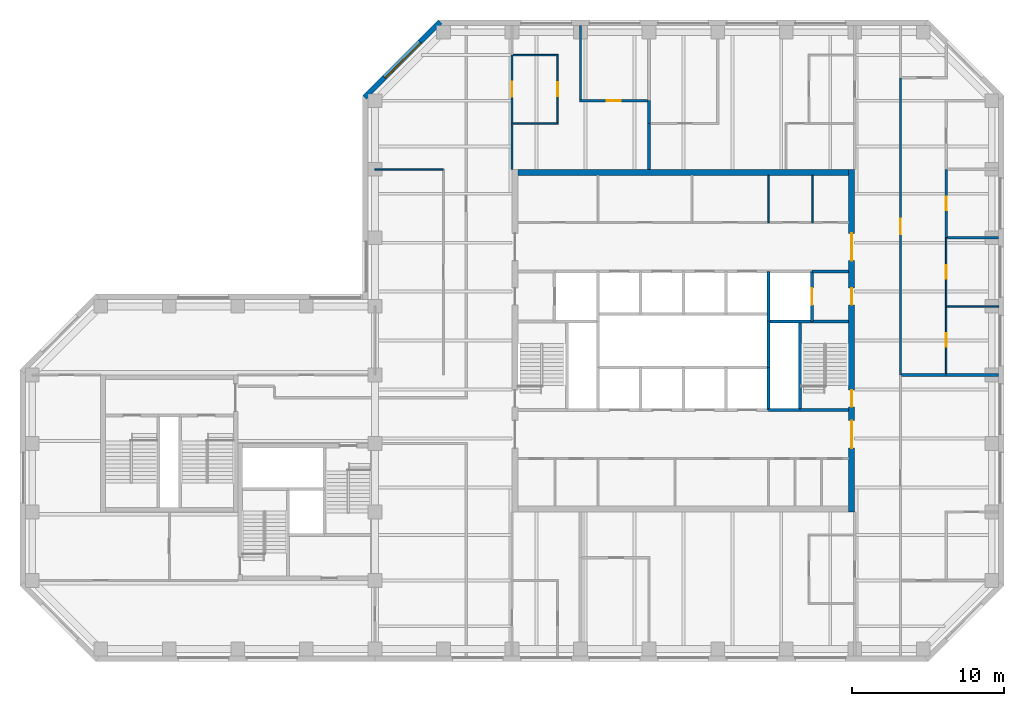
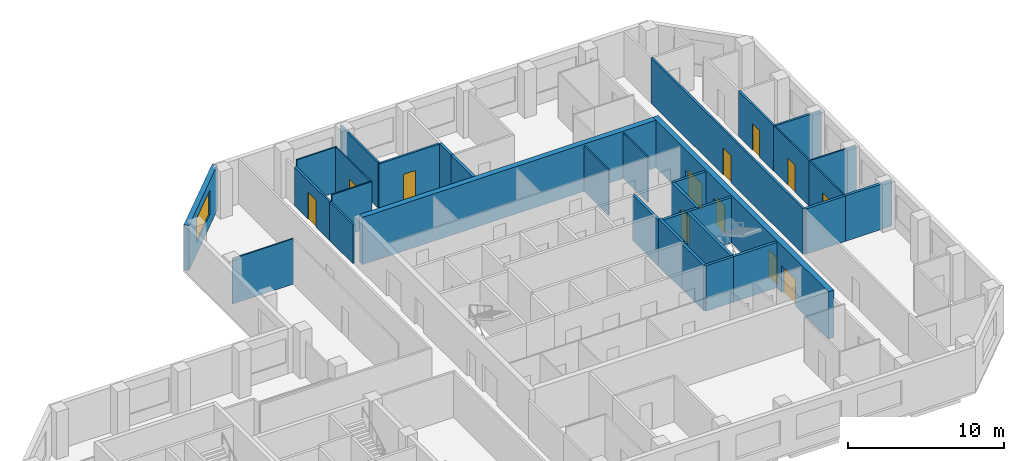
# One storey, part 6 of 9: 32 walls, 12 doors, 1 window, 13 openings.
"""IFC4 building model written with IfcOpenShell, lengths in metres."""

import ifcopenshell
import ifcopenshell.guid

model = None  # the IFC model being written
_history = None  # IfcOwnerHistory: only IFC2X3 demands one
_inside = {}  # id of a spatial element -> (the spatial element, [elements in it])
_under = {}  # id of a project, library or spatial element -> (it, [spatial elements below it])
_declared = {}  # id of a project -> (the project, [libraries it declares])
_typed = {}  # id of a type object -> (the type object, [elements of that type])
_made_of = {}  # id of a material, layer set ... -> (it, [elements and type objects made of it])


def new_model(schema):
    """Start an empty IFC model of exactly this schema.

    Asked for "IFC4X3", IfcOpenShell would pick the latest addendum, in which some entities
    have other attributes; the version numbers below select the first issue.
    IFC2X3 requires an IfcOwnerHistory on every rooted entity: one is made here for all.
    """
    global model, _history
    if schema == "IFC4X3":
        model = ifcopenshell.file(schema_version=(4, 3, 0, 0))
    else:
        model = ifcopenshell.file(schema=schema)
    _inside.clear()
    _under.clear()
    _declared.clear()
    _typed.clear()
    _made_of.clear()
    _history = None
    if model.schema == "IFC2X3":
        org = make("IfcOrganization", Name="unknown")
        user = make(
            "IfcPersonAndOrganization",
            ThePerson=make("IfcPerson", FamilyName="unknown"),
            TheOrganization=org,
        )
        app = make(
            "IfcApplication",
            ApplicationDeveloper=org,
            Version="unknown",
            ApplicationFullName="unknown",
            ApplicationIdentifier="unknown",
        )
        _history = make(
            "IfcOwnerHistory",
            OwningUser=user,
            OwningApplication=app,
            ChangeAction="ADDED",
            CreationDate=0,
        )
    return model


def make(cls, **values):
    """One entity of the class cls with the attributes given. An attribute that is None is left unset."""
    return model.create_entity(
        cls, **{name: value for name, value in values.items() if value is not None}
    )


def rooted(cls, **values):
    """An entity with a GlobalId (a new one), such as an element, a storey or a relation."""
    return make(cls, GlobalId=ifcopenshell.guid.new(), OwnerHistory=_history, **values)


def si_unit(unit_type, name, prefix=None):
    """IfcSIUnit, for example si_unit("LENGTHUNIT", "METRE", prefix="MILLI")."""
    return make("IfcSIUnit", UnitType=unit_type, Prefix=prefix, Name=name)


def assignment(units):
    """IfcUnitAssignment: the units of a project."""
    return None if units is None else make("IfcUnitAssignment", Units=units)


def point(xyz):
    """IfcCartesianPoint."""
    return None if xyz is None else make("IfcCartesianPoint", Coordinates=xyz)


def direction(xyz):
    """IfcDirection."""
    return None if xyz is None else make("IfcDirection", DirectionRatios=xyz)


def frame(location, z_axis=None, x_axis=None):
    """IfcAxis2Placement3D, a coordinate frame: its origin and axes. An axis left out is left unset."""
    return make(
        "IfcAxis2Placement3D",
        Location=point(location),
        Axis=direction(z_axis),
        RefDirection=direction(x_axis),
    )


def frame_2d(location, x_axis=None):
    """IfcAxis2Placement2D, a coordinate frame in the plane: its origin and x axis."""
    return make(
        "IfcAxis2Placement2D", Location=point(location), RefDirection=direction(x_axis)
    )


def origin():
    """The frame at (0, 0, 0) with its axes left unset."""
    return frame((0.0, 0.0, 0.0))


def place(relative_to, where):
    """IfcLocalPlacement: puts the frame where relative to a parent placement (None: the world)."""
    return make(
        "IfcLocalPlacement", PlacementRelTo=relative_to, RelativePlacement=where
    )


def context(
    kind, dimensions, precision=None, world=None, true_north=None, identifier=None
):
    """IfcGeometricRepresentationContext, for example the 3D "Model" context."""
    return make(
        "IfcGeometricRepresentationContext",
        ContextIdentifier=identifier,
        ContextType=kind,
        CoordinateSpaceDimension=dimensions,
        Precision=precision,
        WorldCoordinateSystem=world,
        TrueNorth=true_north,
    )


def subcontext(parent, identifier, kind, view, scale=None):
    """IfcGeometricRepresentationSubContext, for example "Body" below "Model"."""
    return make(
        "IfcGeometricRepresentationSubContext",
        ContextIdentifier=identifier,
        ContextType=kind,
        ParentContext=parent,
        TargetScale=scale,
        TargetView=view,
    )


def project(units=None, contexts=None):
    """IfcProject with its units and contexts."""
    return rooted(
        "IfcProject",
        Name="project",
        RepresentationContexts=contexts,
        UnitsInContext=assignment(units),
    )


def spatial(cls, under=None, at=None, **own):
    """A site, building, storey or space (cls), placed at a placement, below another one or the project."""
    s = rooted(cls, ObjectPlacement=at, **own)
    if under is not None:
        _under.setdefault(under.id(), (under, []))[1].append(s)
    return s


def profile(cls, at=None, kind="AREA", **sizes):
    """A parametric profile (cls). Its sizes go by their IFC names, for example OverallWidth=200.0."""
    return make(cls, ProfileType=kind, Position=at, **sizes)


def rectangle(**sizes):
    """IfcRectangleProfileDef."""
    return profile("IfcRectangleProfileDef", **sizes)


def extrude(swept, where, along, depth):
    """IfcExtrudedAreaSolid: the profile swept, set in the frame where, extruded along a direction by depth."""
    return make(
        "IfcExtrudedAreaSolid",
        SweptArea=swept,
        Position=where,
        ExtrudedDirection=direction(along),
        Depth=depth,
    )


def shape(context_of_items, identifier, shape_type, items):
    """IfcShapeRepresentation: the items that make up one representation, for example the "Body"."""
    return make(
        "IfcShapeRepresentation",
        ContextOfItems=context_of_items,
        RepresentationIdentifier=identifier,
        RepresentationType=shape_type,
        Items=items,
    )


def material(Name=None, Category=None):
    """IfcMaterial."""
    return make("IfcMaterial", Name=Name, Category=Category)


def layer(
    of_material, thickness, ventilated=None, Name=None, Category=None, Priority=None
):
    """IfcMaterialLayer: one layer of a wall or slab, of a material (None: an air gap)."""
    return make(
        "IfcMaterialLayer",
        Material=of_material,
        LayerThickness=thickness,
        IsVentilated=ventilated,
        Name=Name,
        Category=Category,
        Priority=Priority,
    )


def layer_set(layers, Name=None):
    """IfcMaterialLayerSet."""
    return make("IfcMaterialLayerSet", MaterialLayers=layers, LayerSetName=Name)


def constituent(of_material, Name=None, Category=None, fraction=None):
    """IfcMaterialConstituent: one of the materials an element consists of."""
    return make(
        "IfcMaterialConstituent",
        Name=Name,
        Material=of_material,
        Fraction=fraction,
        Category=Category,
    )


def constituent_set(constituents=None, Name=None):
    """IfcMaterialConstituentSet."""
    return make(
        "IfcMaterialConstituentSet", Name=Name, MaterialConstituents=constituents
    )


def made_of(thing, what):
    """Note that an element or type object is made of a material, layer set ...; save() writes the relation."""
    if what is not None:
        _made_of.setdefault(what.id(), (what, []))[1].append(thing)
    return thing


def type_object(cls, material=None, **own):
    """A type object (cls), such as IfcWallType, which elements share."""
    return made_of(rooted(cls, **own), material)


def element(
    cls,
    number,
    at=None,
    inside=None,
    cuts=None,
    type_object=None,
    material=None,
    context=None,
    identifier="Body",
    shape_type=None,
    held_by="IfcProductDefinitionShape",
    body=None,
    shapes=None,
    **own,
):
    """One element of the class cls, such as IfcWall. Its Tag is "e" and its number.

    at: its placement. inside: the storey or other place that contains it. cuts: it is an
    opening in that element (IfcRelVoidsElement). A single representation is given by context,
    identifier, shape_type and body (its items); several are given by shapes. held_by: the class
    of the entity that holds the representations. save() writes the other relations.
    """
    e = rooted(cls, Tag="e%d" % number, ObjectPlacement=at, **own)
    if body is not None:
        shapes = [shape(context, identifier, shape_type, body)]
    if shapes is not None:
        e.Representation = make(held_by, Representations=shapes)
    if inside is not None:
        _inside.setdefault(inside.id(), (inside, []))[1].append(e)
    if cuts is not None:
        rooted(
            "IfcRelVoidsElement", RelatingBuildingElement=cuts, RelatedOpeningElement=e
        )
    if type_object is not None:
        _typed.setdefault(type_object.id(), (type_object, []))[1].append(e)
    return made_of(e, material)


def fill(opening, filler):
    """IfcRelFillsElement: the door or window that sits in an opening."""
    return rooted(
        "IfcRelFillsElement",
        RelatingOpeningElement=opening,
        RelatedBuildingElement=filler,
    )


def aggregate(whole, parts):
    """IfcRelAggregates: a whole, such as a stair, and the parts it consists of."""
    return rooted("IfcRelAggregates", RelatingObject=whole, RelatedObjects=parts)


def save(model, path):
    """Write the relations noted so far, then the file.

    IfcRelAggregates (storeys below a building ...), IfcRelContainedInSpatialStructure (elements
    in a storey), IfcRelDefinesByType, IfcRelAssociatesMaterial and IfcRelDeclares: one each for
    every whole, place, type object, material and project.
    """
    for whole, parts in _under.values():
        aggregate(whole, parts)
    for where, things in _inside.values():
        rooted(
            "IfcRelContainedInSpatialStructure",
            RelatedElements=things,
            RelatingStructure=where,
        )
    for kind, things in _typed.values():
        rooted("IfcRelDefinesByType", RelatedObjects=things, RelatingType=kind)
    for what, things in _made_of.values():
        rooted("IfcRelAssociatesMaterial", RelatedObjects=things, RelatingMaterial=what)
    for by, libraries in _declared.values():
        rooted("IfcRelDeclares", RelatingContext=by, RelatedDefinitions=libraries)
    model.write(path)


model = new_model("IFC4")

# Units and contexts
model_context = context("Model", 3, precision=1e-05, world=origin(), true_north=direction((0.0, 1.0)))
body_context = subcontext(model_context, "Body", "Model", "MODEL_VIEW")
ifc_project = project(units=[si_unit("LENGTHUNIT", "METRE"), si_unit("AREAUNIT", "SQUARE_METRE"), si_unit("VOLUMEUNIT", "CUBIC_METRE"), si_unit("PLANEANGLEUNIT", "RADIAN"), si_unit("MASSUNIT", "GRAM", prefix="KILO")], contexts=[model_context])

# Site, building, storey
site_placement = place(None, origin())
site = spatial("IfcSite", under=ifc_project, at=site_placement, CompositionType="ELEMENT")
building_placement = place(site_placement, origin())
building = spatial("IfcBuilding", under=site, at=building_placement, Name="Quoin Convention Tower", CompositionType="ELEMENT")
storey_placement = place(building_placement, frame((0.0, 0.0, 223.0)))
storey = spatial("IfcBuildingStorey", under=building, at=storey_placement, Name="L58", CompositionType="ELEMENT", Elevation=223.0)

# Wall
ifc_material_1 = material(Name="Plasterboard")
ifc_layer_1 = layer(ifc_material_1, 0.012451171875, Name="Finish")
ifc_material_2 = material(Name="Steel stud framing", Category="steel")
ifc_layer_2 = layer(ifc_material_2, 0.125, Name="Structure")
ifc_layer_3 = layer(ifc_material_1, 0.012451171875, Name="Finish")
ifc_layer_set_1 = layer_set([ifc_layer_1, ifc_layer_2, ifc_layer_3], Name="Steel stud framing")
wall_type_1 = type_object("IfcWallType", Name="Acoustic partition 150", PredefinedType="PARTITIONING", material=ifc_layer_set_1)
wall_1_placement = place(storey_placement, frame((73.574951171875, 67.5, 0.0), z_axis=(0.0, 0.0, 1.0), x_axis=(1.0, 0.0, 0.0)))
element("IfcWall", 1, at=wall_1_placement, inside=storey, type_object=wall_type_1, Name="pw-L58-022", PredefinedType="PARTITIONING", context=body_context, shape_type="SweptSolid", body=[
    extrude(rectangle(XDim=3.375, YDim=0.14990234375, at=frame_2d((1.6875, 0.0))), origin(), (0.0, 0.0, 1.0), 3.550048828125),
])

# Wall, opening, door
wall_2_placement = place(storey_placement, frame((49.425048828125, 76.5, 0.0), z_axis=(0.0, 0.0, 1.0), x_axis=(1.0, 0.0, 0.0)))
wall_2 = element("IfcWall", 2, at=wall_2_placement, inside=storey, type_object=wall_type_1, Name="pw-L58-028", PredefinedType="PARTITIONING", context=body_context, shape_type="SweptSolid", body=[
    extrude(rectangle(XDim=4.474853515625, YDim=0.14990234375, at=frame_2d((2.2373046875, 0.0))), origin(), (0.0, 0.0, 1.0), 3.550048828125),
])
opening_1_placement = place(wall_2_placement, frame((1.800048828125, 0.0, 0.0)))
opening_1 = element("IfcOpeningElement", 3, at=opening_1_placement, cuts=wall_2, Name="Opening DOH10-06", PredefinedType="OPENING", context=body_context, shape_type="SweptSolid", body=[
    extrude(rectangle(XDim=0.89990234375, YDim=2.10009765625, at=frame_2d((0.449951171875, 1.050048828125))), frame((0.0, 0.0849609375, 0.0), z_axis=(0.0, -1.0, 0.0), x_axis=(1.0, 0.0, 0.0)), (0.0, 0.0, 1.0), 0.169921875),
])
ifc_material_3 = material(Name="Steel door leaf", Category="steel")
door_type_1 = type_object("IfcDoorType", Name="Office door 900 x 2100", OperationType="SINGLE_SWING_RIGHT", PredefinedType="DOOR", material=ifc_material_3)
door_1_placement = place(opening_1_placement, frame((0.89990234375, 0.0, 0.0), z_axis=(0.0, 0.0, 1.0), x_axis=(-1.0, 0.0, 0.0)))
door_1 = element("IfcDoor", 4, at=door_1_placement, inside=storey, type_object=door_type_1, Name="dr-L58-17", OperationType="SINGLE_SWING_LEFT", OverallHeight=2.10009765625, OverallWidth=0.89990234375, PredefinedType="DOOR", context=body_context, shape_type="SweptSolid", body=[
    extrude(rectangle(XDim=0.89990234375, YDim=2.10009765625, at=frame_2d((0.449951171875, 1.050048828125))), frame((0.0, 0.02490234375, 0.0), z_axis=(0.0, -1.0, 0.0), x_axis=(1.0, 0.0, 0.0)), (0.0, 0.0, 1.0), 0.050048828125),
])
fill(opening_1, door_1)

wall_3_placement = place(storey_placement, frame((73.5, 67.5, 0.0), z_axis=(0.0, 0.0, 1.0), x_axis=(0.0, 1.0, 0.0)))
wall_3 = element("IfcWall", 5, at=wall_3_placement, inside=storey, type_object=wall_type_1, Name="pw-L58-065", PredefinedType="PARTITIONING", context=body_context, shape_type="SweptSolid", body=[
    extrude(rectangle(XDim=4.5, YDim=0.14990234375, at=frame_2d((2.25, 0.0))), origin(), (0.0, 0.0, 1.0), 3.550048828125),
])
opening_2_placement = place(wall_3_placement, frame((1.800048828125, 0.0, 0.0)))
opening_2 = element("IfcOpeningElement", 6, at=opening_2_placement, cuts=wall_3, Name="Opening DOH10-18", PredefinedType="OPENING", context=body_context, shape_type="SweptSolid", body=[
    extrude(rectangle(XDim=0.89990234375, YDim=2.10009765625, at=frame_2d((0.449951171875, 1.050048828125))), frame((0.0, 0.0849609375, 0.0), z_axis=(0.0, -1.0, 0.0), x_axis=(1.0, 0.0, 0.0)), (0.0, 0.0, 1.0), 0.169921875),
])
door_2_placement = place(opening_2_placement, origin())
door_2 = element("IfcDoor", 7, at=door_2_placement, inside=storey, type_object=door_type_1, Name="dr-L58-29", OperationType="SINGLE_SWING_RIGHT", OverallHeight=2.10009765625, OverallWidth=0.89990234375, PredefinedType="DOOR", context=body_context, shape_type="SweptSolid", body=[
    extrude(rectangle(XDim=0.89990234375, YDim=2.10009765625, at=frame_2d((0.449951171875, 1.050048828125))), frame((0.0, 0.02490234375, 0.0), z_axis=(0.0, -1.0, 0.0), x_axis=(1.0, 0.0, 0.0)), (0.0, 0.0, 1.0), 0.050048828125),
])
fill(opening_2, door_2)

# Wall
wall_4_placement = place(storey_placement, frame((49.5, 76.574951171875, 0.0), z_axis=(0.0, 0.0, 1.0), x_axis=(0.0, 1.0, 0.0)))
element("IfcWall", 8, at=wall_4_placement, inside=storey, type_object=wall_type_1, Name="pw-L58-078", PredefinedType="PARTITIONING", context=body_context, shape_type="SweptSolid", body=[
    extrude(rectangle(XDim=4.875, YDim=0.14990234375, at=frame_2d((2.4375, 0.0))), origin(), (0.0, 0.0, 1.0), 3.550048828125),
])

# Wall, opening, window
ifc_material_4 = material(Name="Brick masonry", Category="masonry")
ifc_layer_4 = layer(ifc_material_4, 0.35009765625)
ifc_layer_set_2 = layer_set([ifc_layer_4], Name="Brick masonry")
wall_type_2 = type_object("IfcWallType", Name="Brick facade wall", PredefinedType="STANDARD", material=ifc_layer_set_2)
wall_5_placement = place(storey_placement, frame((40.29248046875, 81.67626953125, 0.0), z_axis=(0.0, 0.0, 1.0), x_axis=(-0.707106781187, -0.707106781187, 0.0)))
wall_5 = element("IfcWall", 9, at=wall_5_placement, inside=storey, type_object=wall_type_2, Name="fw-L58-40500_81000", PredefinedType="STANDARD", context=body_context, shape_type="SweptSolid", body=[
    extrude(rectangle(XDim=7.02685546875, YDim=0.35009765625, at=frame_2d((3.513427734375, 0.0))), origin(), (0.0, 0.0, 1.0), 3.52490234375),
])
opening_3_placement = place(wall_5_placement, frame((1.86328125, 0.0, 0.89990234375)))
opening_3 = element("IfcOpeningElement", 10, at=opening_3_placement, cuts=wall_5, Name="Opening W-02", PredefinedType="OPENING", context=body_context, shape_type="SweptSolid", body=[
    extrude(rectangle(XDim=3.300048828125, YDim=1.89990234375, at=frame_2d((1.64990234375, 0.949951171875))), frame((0.0, 0.18505859375, 0.0), z_axis=(0.0, -1.0, 0.0), x_axis=(1.0, 0.0, 0.0)), (0.0, 0.0, 1.0), 0.3701171875),
])
ifc_material_5 = material(Name="Aluminium", Category="aluminium")
ifc_constituent_1 = constituent(ifc_material_5, Name="Frame")
ifc_material_6 = material(Name="Insulated glass", Category="glass")
ifc_constituent_2 = constituent(ifc_material_6, Name="Glazing")
ifc_constituent_set = constituent_set(constituents=[ifc_constituent_1, ifc_constituent_2], Name="Aluminium")
window_type = type_object("IfcWindowType", Name="Office window", PartitioningType="DOUBLE_PANEL_VERTICAL", PredefinedType="WINDOW", material=ifc_constituent_set)
window_placement = place(opening_3_placement, origin())
window = element("IfcWindow", 11, at=window_placement, inside=storey, type_object=window_type, Name="win-L58-37808_79192", OverallHeight=1.89990234375, OverallWidth=3.300048828125, PartitioningType="SINGLE_PANEL", PredefinedType="WINDOW", context=body_context, shape_type="SweptSolid", body=[
    extrude(rectangle(XDim=3.300048828125, YDim=1.89990234375, at=frame_2d((1.64990234375, 0.949951171875))), frame((0.0, 0.0849609375, 0.0), z_axis=(0.0, -1.0, 0.0), x_axis=(1.0, 0.0, 0.0)), (0.0, 0.0, 1.0), 0.06005859375),
])
fill(opening_3, window)

# Walls
ifc_layer_5 = layer(ifc_material_1, 0.012451171875, Name="Finish")
ifc_layer_6 = layer(ifc_material_2, 0.074951171875, Name="Structure")
ifc_layer_7 = layer(ifc_material_1, 0.012451171875, Name="Finish")
ifc_layer_set_3 = layer_set([ifc_layer_5, ifc_layer_6, ifc_layer_7], Name="Steel stud framing")
wall_type_3 = type_object("IfcWallType", Name="Core partition wall", PredefinedType="PARTITIONING", material=ifc_layer_set_3)
for number, where, z_axis, x_axis, name in (
    (12, (61.85009765625, 68.5, 0.0), (0.0, 0.0, 1.0), (0.0, 1.0, 0.0), "cr-C1-L58-v16850_19000"),
    (13, (64.737548828125, 68.5, 0.0), (0.0, 0.0, 1.0), (0.0, 1.0, 0.0), "cr-C1-L58-v19738_19000"),
):
    element("IfcWall", number, at=place(storey_placement, frame(where, z_axis=z_axis, x_axis=x_axis)), inside=storey, type_object=wall_type_3, Name=name, PredefinedType="PARTITIONING", context=body_context, shape_type="SweptSolid", body=[
        extrude(rectangle(XDim=3.10009765625, YDim=0.10009765625, at=frame_2d((1.550048828125, 0.0))), origin(), (0.0, 0.0, 1.0), 3.550048828125),
    ])
ifc_material_7 = material(Name="Concrete C50", Category="concrete")
ifc_layer_8 = layer(ifc_material_7, 0.199951171875)
ifc_layer_set_4 = layer_set([ifc_layer_8], Name="Concrete C50")
wall_type_4 = type_object("IfcWallType", Name="Core shaft wall", PredefinedType="SOLIDWALL", material=ifc_layer_set_4)
wall_6_placement = place(storey_placement, frame((61.85009765625, 56.199951171875, 0.0), z_axis=(0.0, 0.0, 1.0), x_axis=(1.0, 0.0, 0.0)))
element("IfcWall", 14, at=wall_6_placement, inside=storey, type_object=wall_type_4, Name="cr-C1-L58-h6700_16850", PredefinedType="SOLIDWALL", context=body_context, shape_type="SweptSolid", body=[
    extrude(rectangle(XDim=2.0498046875, YDim=0.199951171875, at=frame_2d((1.02490234375, 0.0))), origin(), (0.0, 0.0, 1.0), 3.550048828125),
])
wall_7_placement = place(storey_placement, frame((63.89990234375, 56.199951171875, 0.0), z_axis=(0.0, 0.0, 1.0), x_axis=(1.0, 0.0, 0.0)))
element("IfcWall", 15, at=wall_7_placement, inside=storey, type_object=wall_type_4, Name="cr-C1-L58-h6700_18900", PredefinedType="SOLIDWALL", context=body_context, shape_type="SweptSolid", body=[
    extrude(rectangle(XDim=3.2001953125, YDim=0.199951171875, at=frame_2d((1.60009765625, 0.0))), origin(), (0.0, 0.0, 1.0), 3.550048828125),
])
wall_8_placement = place(storey_placement, frame((61.85009765625, 62.0, 0.0), z_axis=(0.0, 0.0, 1.0), x_axis=(1.0, 0.0, 0.0)))
element("IfcWall", 16, at=wall_8_placement, inside=storey, type_object=wall_type_4, Name="cr-C1-L58-h12500_16850", PredefinedType="SOLIDWALL", context=body_context, shape_type="SweptSolid", body=[
    extrude(rectangle(XDim=5.25, YDim=0.199951171875, at=frame_2d((2.625, 0.0))), origin(), (0.0, 0.0, 1.0), 3.550048828125),
])
wall_9_placement = place(storey_placement, frame((64.699951171875, 65.300048828125, 0.0), z_axis=(0.0, 0.0, 1.0), x_axis=(1.0, 0.0, 0.0)))
element("IfcWall", 17, at=wall_9_placement, inside=storey, type_object=wall_type_4, Name="cr-C1-L58-h15800_19700", PredefinedType="SOLIDWALL", context=body_context, shape_type="SweptSolid", body=[
    extrude(rectangle(XDim=2.400146484375, YDim=0.199951171875, at=frame_2d((1.2001953125, 0.0))), origin(), (0.0, 0.0, 1.0), 3.550048828125),
])
wall_10_placement = place(storey_placement, frame((61.85009765625, 56.199951171875, 0.0), z_axis=(0.0, 0.0, 1.0), x_axis=(0.0, 1.0, 0.0)))
element("IfcWall", 18, at=wall_10_placement, inside=storey, type_object=wall_type_4, Name="cr-C1-L58-v16850_6700", PredefinedType="SOLIDWALL", context=body_context, shape_type="SweptSolid", body=[
    extrude(rectangle(XDim=2.800048828125, YDim=0.199951171875, at=frame_2d((1.39990234375, 0.0))), origin(), (0.0, 0.0, 1.0), 3.550048828125),
])
wall_11_placement = place(storey_placement, frame((61.85009765625, 62.0, 0.0), z_axis=(0.0, 0.0, 1.0), x_axis=(0.0, 1.0, 0.0)))
element("IfcWall", 19, at=wall_11_placement, inside=storey, type_object=wall_type_4, Name="cr-C1-L58-v16850_12500", PredefinedType="SOLIDWALL", context=body_context, shape_type="SweptSolid", body=[
    extrude(rectangle(XDim=3.300048828125, YDim=0.199951171875, at=frame_2d((1.64990234375, 0.0))), origin(), (0.0, 0.0, 1.0), 3.550048828125),
])
wall_12_placement = place(storey_placement, frame((63.89990234375, 56.199951171875, 0.0), z_axis=(0.0, 0.0, 1.0), x_axis=(0.0, 1.0, 0.0)))
element("IfcWall", 20, at=wall_12_placement, inside=storey, type_object=wall_type_4, Name="cr-C1-L58-v18900_6700", PredefinedType="SOLIDWALL", context=body_context, shape_type="SweptSolid", body=[
    extrude(rectangle(XDim=5.800048828125, YDim=0.199951171875, at=frame_2d((2.89990234375, 0.0))), origin(), (0.0, 0.0, 1.0), 3.550048828125),
])

# Wall, opening, door
wall_13_placement = place(storey_placement, frame((64.699951171875, 62.0, 0.0), z_axis=(0.0, 0.0, 1.0), x_axis=(0.0, 1.0, 0.0)))
wall_13 = element("IfcWall", 21, at=wall_13_placement, inside=storey, type_object=wall_type_4, Name="cr-C1-L58-v19700_12500", PredefinedType="SOLIDWALL", context=body_context, shape_type="SweptSolid", body=[
    extrude(rectangle(XDim=3.300048828125, YDim=0.199951171875, at=frame_2d((1.64990234375, 0.0))), origin(), (0.0, 0.0, 1.0), 3.550048828125),
])
opening_4_placement = place(wall_13_placement, frame((1.10009765625, 0.0, 0.0)))
opening_4 = element("IfcOpeningElement", 22, at=opening_4_placement, cuts=wall_13, Name="Opening LDFL2", PredefinedType="OPENING", context=body_context, shape_type="SweptSolid", body=[
    extrude(rectangle(XDim=1.10009765625, YDim=2.10009765625, at=frame_2d((0.550048828125, 1.050048828125))), frame((0.0, 0.10986328125, 0.0), z_axis=(0.0, -1.0, 0.0), x_axis=(1.0, 0.0, 0.0)), (0.0, 0.0, 1.0), 0.219970703125),
])
door_type_2 = type_object("IfcDoorType", Name="Lift landing door 1100 x 2100", OperationType="DOUBLE_DOOR_SLIDING", PredefinedType="DOOR", material=ifc_material_3)
door_3_placement = place(opening_4_placement, origin())
door_3 = element("IfcDoor", 23, at=door_3_placement, inside=storey, type_object=door_type_2, Name="cd-C1-L58-FLE-FFE-LDFL2", OperationType="DOUBLE_DOOR_SLIDING", OverallHeight=2.10009765625, OverallWidth=1.10009765625, PredefinedType="DOOR", context=body_context, shape_type="SweptSolid", body=[
    extrude(rectangle(XDim=1.10009765625, YDim=2.10009765625, at=frame_2d((0.550048828125, 1.050048828125))), frame((0.0, 0.02490234375, 0.0), z_axis=(0.0, -1.0, 0.0), x_axis=(1.0, 0.0, 0.0)), (0.0, 0.0, 1.0), 0.050048828125),
])
fill(opening_4, door_3)

# Wall
ifc_layer_9 = layer(ifc_material_7, 0.199951171875)
ifc_layer_set_5 = layer_set([ifc_layer_9], Name="Concrete C50")
wall_type_5 = type_object("IfcWallType", Name="Core shaft wall to the floor level over", PredefinedType="SOLIDWALL", material=ifc_layer_set_5)
wall_14_placement = place(storey_placement, frame((61.85009765625, 59.0, 0.0), z_axis=(0.0, 0.0, 1.0), x_axis=(0.0, 1.0, 0.0)))
element("IfcWall", 24, at=wall_14_placement, inside=storey, type_object=wall_type_5, Name="cr-C1-L58-v16850_9500", PredefinedType="SOLIDWALL", context=body_context, shape_type="SweptSolid", body=[
    extrude(rectangle(XDim=3.0, YDim=0.199951171875, at=frame_2d((1.5, 0.0))), origin(), (0.0, 0.0, 1.0), 3.699951171875),
])

# Wall, opening, door
ifc_layer_10 = layer(ifc_material_1, 0.012451171875, Name="Finish")
ifc_layer_11 = layer(ifc_material_2, 0.125, Name="Structure")
ifc_layer_12 = layer(ifc_material_1, 0.012451171875, Name="Finish")
ifc_layer_set_6 = layer_set([ifc_layer_10, ifc_layer_11, ifc_layer_12], Name="Steel stud framing")
wall_type_6 = type_object("IfcWallType", Name="Corridor wall 150", PredefinedType="PARTITIONING", material=ifc_layer_set_6)
wall_15_placement = place(storey_placement, frame((70.5, 58.5, 0.0), z_axis=(0.0, 0.0, 1.0), x_axis=(0.0, 1.0, 0.0)))
wall_15 = element("IfcWall", 25, at=wall_15_placement, inside=storey, type_object=wall_type_6, Name="pw-L58-058", PredefinedType="PARTITIONING", context=body_context, shape_type="SweptSolid", body=[
    extrude(rectangle(XDim=19.5, YDim=0.14990234375, at=frame_2d((9.75, 0.0))), origin(), (0.0, 0.0, 1.0), 3.550048828125),
])
opening_5_placement = place(wall_15_placement, frame((9.25, 0.0, 0.0)))
opening_5 = element("IfcOpeningElement", 26, at=opening_5_placement, cuts=wall_15, Name="Opening DOH10-15", PredefinedType="OPENING", context=body_context, shape_type="SweptSolid", body=[
    extrude(rectangle(XDim=1.0, YDim=2.10009765625, at=frame_2d((0.5, 1.050048828125))), frame((0.0, 0.0849609375, 0.0), z_axis=(0.0, -1.0, 0.0), x_axis=(1.0, 0.0, 0.0)), (0.0, 0.0, 1.0), 0.169921875),
])
door_type_3 = type_object("IfcDoorType", Name="Tenancy entrance door 1000 x 2100", OperationType="DOUBLE_DOOR_SINGLE_SWING", PredefinedType="DOOR", material=ifc_material_3)
door_4_placement = place(opening_5_placement, frame((1.0, 0.0, 0.0), z_axis=(0.0, 0.0, 1.0), x_axis=(-1.0, 0.0, 0.0)))
door_4 = element("IfcDoor", 27, at=door_4_placement, inside=storey, type_object=door_type_3, Name="dr-L58-25", OperationType="DOUBLE_DOOR_SINGLE_SWING", OverallHeight=2.10009765625, OverallWidth=1.0, PredefinedType="DOOR", context=body_context, shape_type="SweptSolid", body=[
    extrude(rectangle(XDim=1.0, YDim=2.10009765625, at=frame_2d((0.5, 1.050048828125))), frame((0.0, 0.02490234375, 0.0), z_axis=(0.0, -1.0, 0.0), x_axis=(1.0, 0.0, 0.0)), (0.0, 0.0, 1.0), 0.050048828125),
])
fill(opening_5, door_4)

# Wall
ifc_layer_13 = layer(ifc_material_1, 0.012451171875, Name="Finish")
ifc_layer_14 = layer(ifc_material_2, 0.125, Name="Structure")
ifc_layer_15 = layer(ifc_material_1, 0.012451171875, Name="Finish")
ifc_layer_set_7 = layer_set([ifc_layer_13, ifc_layer_14, ifc_layer_15], Name="Steel stud framing")
wall_type_7 = type_object("IfcWallType", Name="Corridor wall 150 under beam 528", PredefinedType="PARTITIONING", material=ifc_layer_set_7)
wall_16_placement = place(storey_placement, frame((45.0, 72.0, 0.0), z_axis=(0.0, 0.0, 1.0), x_axis=(0.0, 1.0, 0.0)))
element("IfcWall", 28, at=wall_16_placement, inside=storey, type_object=wall_type_7, Name="pw-L58-066", PredefinedType="PARTITIONING", context=body_context, shape_type="SweptSolid", body=[
    extrude(rectangle(XDim=3.0, YDim=0.14990234375, at=frame_2d((1.5, 0.0))), origin(), (0.0, 0.0, 1.0), 3.02197265625),
])

# Wall, opening, door
wall_17_placement = place(storey_placement, frame((45.0, 75.0, 0.0), z_axis=(0.0, 0.0, 1.0), x_axis=(0.0, 1.0, 0.0)))
wall_17 = element("IfcWall", 29, at=wall_17_placement, inside=storey, type_object=wall_type_7, Name="pw-L58-071", PredefinedType="PARTITIONING", context=body_context, shape_type="SweptSolid", body=[
    extrude(rectangle(XDim=4.5, YDim=0.14990234375, at=frame_2d((2.25, 0.0))), origin(), (0.0, 0.0, 1.0), 3.02197265625),
])
opening_6_placement = place(wall_17_placement, frame((1.75, 0.0, 0.0)))
opening_6 = element("IfcOpeningElement", 30, at=opening_6_placement, cuts=wall_17, Name="Opening DOH10-20", PredefinedType="OPENING", context=body_context, shape_type="SweptSolid", body=[
    extrude(rectangle(XDim=1.0, YDim=2.10009765625, at=frame_2d((0.5, 1.050048828125))), frame((0.0, 0.0849609375, 0.0), z_axis=(0.0, -1.0, 0.0), x_axis=(1.0, 0.0, 0.0)), (0.0, 0.0, 1.0), 0.169921875),
])
door_5_placement = place(opening_6_placement, origin())
door_5 = element("IfcDoor", 31, at=door_5_placement, inside=storey, type_object=door_type_3, Name="dr-L58-15", OperationType="DOUBLE_DOOR_SINGLE_SWING", OverallHeight=2.10009765625, OverallWidth=1.0, PredefinedType="DOOR", context=body_context, shape_type="SweptSolid", body=[
    extrude(rectangle(XDim=1.0, YDim=2.10009765625, at=frame_2d((0.5, 1.050048828125))), frame((0.0, 0.02490234375, 0.0), z_axis=(0.0, -1.0, 0.0), x_axis=(1.0, 0.0, 0.0)), (0.0, 0.0, 1.0), 0.050048828125),
])
fill(opening_6, door_5)

# Wall
ifc_layer_16 = layer(ifc_material_7, 0.39990234375)
ifc_layer_set_8 = layer_set([ifc_layer_16], Name="Concrete C50")
wall_type_8 = type_object("IfcWallType", Name="RC CORE WALL 400 C50", PredefinedType="SHEAR", material=ifc_layer_set_8)
wall_18_placement = place(storey_placement, frame((45.39990234375, 71.800048828125, 0.0), z_axis=(0.0, 0.0, 1.0), x_axis=(1.0, 0.0, 0.0)))
element("IfcWall", 32, at=wall_18_placement, inside=storey, type_object=wall_type_8, Name="cwl-C1-L58-N", PredefinedType="SHEAR", context=body_context, shape_type="SweptSolid", body=[
    extrude(rectangle(XDim=21.7001953125, YDim=0.39990234375, at=frame_2d((10.85009765625, 0.0))), origin(), (0.0, 0.0, 1.0), 3.699951171875),
])

# Wall, openings, doors
wall_19_placement = place(storey_placement, frame((67.300048828125, 49.5, 0.0), z_axis=(0.0, 0.0, 1.0), x_axis=(0.0, 1.0, 0.0)))
wall_19 = element("IfcWall", 33, at=wall_19_placement, inside=storey, type_object=wall_type_8, Name="cwl-C1-L58-E", PredefinedType="SHEAR", context=body_context, shape_type="SweptSolid", body=[
    extrude(rectangle(XDim=22.5, YDim=0.39990234375, at=frame_2d((11.25, 0.0))), origin(), (0.0, 0.0, 1.0), 3.699951171875),
])
opening_7_placement = place(wall_19_placement, frame((4.199951171875, 0.0, 0.0)))
opening_7 = element("IfcOpeningElement", 34, at=opening_7_placement, cuts=wall_19, Name="Opening DCV2-38", PredefinedType="OPENING", context=body_context, shape_type="SweptSolid", body=[
    extrude(rectangle(XDim=1.800048828125, YDim=2.10009765625, at=frame_2d((0.89990234375, 1.050048828125))), frame((0.0, 0.2099609375, 0.0), z_axis=(0.0, -1.0, 0.0), x_axis=(1.0, 0.0, 0.0)), (0.0, 0.0, 1.0), 0.419921875),
])
opening_8_placement = place(wall_19_placement, frame((6.89990234375, 0.0, 0.0)))
opening_8 = element("IfcOpeningElement", 35, at=opening_8_placement, cuts=wall_19, Name="Opening SD2", PredefinedType="OPENING", context=body_context, shape_type="SweptSolid", body=[
    extrude(rectangle(XDim=1.10009765625, YDim=2.10009765625, at=frame_2d((0.550048828125, 1.050048828125))), frame((0.0, 0.2099609375, 0.0), z_axis=(0.0, -1.0, 0.0), x_axis=(1.0, 0.0, 0.0)), (0.0, 0.0, 1.0), 0.419921875),
])
opening_9_placement = place(wall_19_placement, frame((13.60009765625, 0.0, 0.0)))
opening_9 = element("IfcOpeningElement", 36, at=opening_9_placement, cuts=wall_19, Name="Opening DCV2-37", PredefinedType="OPENING", context=body_context, shape_type="SweptSolid", body=[
    extrude(rectangle(XDim=1.10009765625, YDim=2.10009765625, at=frame_2d((0.550048828125, 1.050048828125))), frame((0.0, 0.2099609375, 0.0), z_axis=(0.0, -1.0, 0.0), x_axis=(1.0, 0.0, 0.0)), (0.0, 0.0, 1.0), 0.419921875),
])
opening_10_placement = place(wall_19_placement, frame((16.5, 0.0, 0.0)))
opening_10 = element("IfcOpeningElement", 37, at=opening_10_placement, cuts=wall_19, Name="Opening DCV2-38", PredefinedType="OPENING", context=body_context, shape_type="SweptSolid", body=[
    extrude(rectangle(XDim=1.800048828125, YDim=2.10009765625, at=frame_2d((0.89990234375, 1.050048828125))), frame((0.0, 0.2099609375, 0.0), z_axis=(0.0, -1.0, 0.0), x_axis=(1.0, 0.0, 0.0)), (0.0, 0.0, 1.0), 0.419921875),
])
door_type_4 = type_object("IfcDoorType", Name="Fire-fighting lobby door 1100 x 2100", OperationType="SINGLE_SWING_LEFT", PredefinedType="DOOR", material=ifc_material_3)
door_6_placement = place(opening_9_placement, origin())
door_6 = element("IfcDoor", 38, at=door_6_placement, inside=storey, type_object=door_type_4, Name="cd-C1-L58-FFE-E", OperationType="SINGLE_SWING_RIGHT", OverallHeight=2.10009765625, OverallWidth=1.10009765625, PredefinedType="DOOR", context=body_context, shape_type="SweptSolid", body=[
    extrude(rectangle(XDim=1.10009765625, YDim=2.10009765625, at=frame_2d((0.550048828125, 1.050048828125))), frame((0.0, 0.02490234375, 0.0), z_axis=(0.0, -1.0, 0.0), x_axis=(1.0, 0.0, 0.0)), (0.0, 0.0, 1.0), 0.050048828125),
])
fill(opening_9, door_6)
door_type_5 = type_object("IfcDoorType", Name="Lift lobby door 1800 x 2100", OperationType="SINGLE_SWING_LEFT", PredefinedType="DOOR", material=ifc_material_3)
door_7_placement = place(opening_7_placement, origin())
door_7 = element("IfcDoor", 39, at=door_7_placement, inside=storey, type_object=door_type_5, Name="cd-C1-L58-lobA-E", OperationType="SINGLE_SWING_RIGHT", OverallHeight=2.10009765625, OverallWidth=1.800048828125, PredefinedType="DOOR", context=body_context, shape_type="SweptSolid", body=[
    extrude(rectangle(XDim=1.800048828125, YDim=2.10009765625, at=frame_2d((0.89990234375, 1.050048828125))), frame((0.0, 0.02490234375, 0.0), z_axis=(0.0, -1.0, 0.0), x_axis=(1.0, 0.0, 0.0)), (0.0, 0.0, 1.0), 0.050048828125),
])
fill(opening_7, door_7)
door_8_placement = place(opening_10_placement, origin())
door_8 = element("IfcDoor", 40, at=door_8_placement, inside=storey, type_object=door_type_5, Name="cd-C1-L58-lobB-E", OperationType="SINGLE_SWING_RIGHT", OverallHeight=2.10009765625, OverallWidth=1.800048828125, PredefinedType="DOOR", context=body_context, shape_type="SweptSolid", body=[
    extrude(rectangle(XDim=1.800048828125, YDim=2.10009765625, at=frame_2d((0.89990234375, 1.050048828125))), frame((0.0, 0.02490234375, 0.0), z_axis=(0.0, -1.0, 0.0), x_axis=(1.0, 0.0, 0.0)), (0.0, 0.0, 1.0), 0.050048828125),
])
fill(opening_10, door_8)
door_type_6 = type_object("IfcDoorType", Name="Stair door 1100 x 2100", OperationType="SINGLE_SWING_RIGHT", PredefinedType="DOOR", material=ifc_material_3)
door_9_placement = place(opening_8_placement, origin())
door_9 = element("IfcDoor", 41, at=door_9_placement, inside=storey, type_object=door_type_6, Name="cd-C1-L58-STE-E", OperationType="SINGLE_SWING_LEFT", OverallHeight=2.10009765625, OverallWidth=1.10009765625, PredefinedType="DOOR", context=body_context, shape_type="SweptSolid", body=[
    extrude(rectangle(XDim=1.10009765625, YDim=2.10009765625, at=frame_2d((0.550048828125, 1.050048828125))), frame((0.0, 0.02490234375, 0.0), z_axis=(0.0, -1.0, 0.0), x_axis=(1.0, 0.0, 0.0)), (0.0, 0.0, 1.0), 0.050048828125),
])
fill(opening_8, door_9)

# Walls
ifc_layer_17 = layer(ifc_material_1, 0.012451171875, Name="Finish")
ifc_layer_18 = layer(ifc_material_2, 0.074951171875, Name="Structure")
ifc_layer_19 = layer(ifc_material_1, 0.012451171875, Name="Finish")
ifc_layer_set_9 = layer_set([ifc_layer_17, ifc_layer_18, ifc_layer_19], Name="Steel stud framing")
wall_type_9 = type_object("IfcWallType", Name="Stud partition 100", PredefinedType="PARTITIONING", material=ifc_layer_set_9)
wall_20_placement = place(storey_placement, frame((73.550048828125, 63.0, 0.0), z_axis=(0.0, 0.0, 1.0), x_axis=(1.0, 0.0, 0.0)))
element("IfcWall", 42, at=wall_20_placement, inside=storey, type_object=wall_type_9, Name="pw-L58-020", PredefinedType="PARTITIONING", context=body_context, shape_type="SweptSolid", body=[
    extrude(rectangle(XDim=3.39990234375, YDim=0.10009765625, at=frame_2d((1.699951171875, 0.0))), origin(), (0.0, 0.0, 1.0), 3.550048828125),
])
for number, where, z_axis, x_axis, name in (
    (43, (45.074951171875, 75.0, 0.0), (0.0, 0.0, 1.0), (1.0, 0.0, 0.0), "pw-L58-024"),
    (44, (45.074951171875, 79.5, 0.0), (0.0, 0.0, 1.0), (1.0, 0.0, 0.0), "pw-L58-031"),
):
    element("IfcWall", number, at=place(storey_placement, frame(where, z_axis=z_axis, x_axis=x_axis)), inside=storey, type_object=wall_type_9, Name=name, PredefinedType="PARTITIONING", context=body_context, shape_type="SweptSolid", body=[
        extrude(rectangle(XDim=2.97509765625, YDim=0.10009765625, at=frame_2d((1.487548828125, 0.0))), origin(), (0.0, 0.0, 1.0), 3.550048828125),
    ])

# Wall, opening, door
wall_21_placement = place(storey_placement, frame((73.5, 58.60009765625, 0.0), z_axis=(0.0, 0.0, 1.0), x_axis=(0.0, 1.0, 0.0)))
wall_21 = element("IfcWall", 45, at=wall_21_placement, inside=storey, type_object=wall_type_9, Name="pw-L58-060", PredefinedType="PARTITIONING", context=body_context, shape_type="SweptSolid", body=[
    extrude(rectangle(XDim=4.39990234375, YDim=0.10009765625, at=frame_2d((2.199951171875, 0.0))), origin(), (0.0, 0.0, 1.0), 3.550048828125),
])
opening_11_placement = place(wall_21_placement, frame((1.75, 0.0, 0.0)))
opening_11 = element("IfcOpeningElement", 46, at=opening_11_placement, cuts=wall_21, Name="Opening DOH10-16", PredefinedType="OPENING", context=body_context, shape_type="SweptSolid", body=[
    extrude(rectangle(XDim=0.89990234375, YDim=2.10009765625, at=frame_2d((0.449951171875, 1.050048828125))), frame((0.0, 0.06005859375, 0.0), z_axis=(0.0, -1.0, 0.0), x_axis=(1.0, 0.0, 0.0)), (0.0, 0.0, 1.0), 0.1201171875),
])
door_10_placement = place(opening_11_placement, origin())
door_10 = element("IfcDoor", 47, at=door_10_placement, inside=storey, type_object=door_type_1, Name="dr-L58-26", OperationType="SINGLE_SWING_RIGHT", OverallHeight=2.10009765625, OverallWidth=0.89990234375, PredefinedType="DOOR", context=body_context, shape_type="SweptSolid", body=[
    extrude(rectangle(XDim=0.89990234375, YDim=2.10009765625, at=frame_2d((0.449951171875, 1.050048828125))), frame((0.0, 0.02490234375, 0.0), z_axis=(0.0, -1.0, 0.0), x_axis=(1.0, 0.0, 0.0)), (0.0, 0.0, 1.0), 0.050048828125),
])
fill(opening_11, door_10)

wall_22_placement = place(storey_placement, frame((73.5, 63.0, 0.0), z_axis=(0.0, 0.0, 1.0), x_axis=(0.0, 1.0, 0.0)))
wall_22 = element("IfcWall", 48, at=wall_22_placement, inside=storey, type_object=wall_type_9, Name="pw-L58-064", PredefinedType="PARTITIONING", context=body_context, shape_type="SweptSolid", body=[
    extrude(rectangle(XDim=4.5, YDim=0.10009765625, at=frame_2d((2.25, 0.0))), origin(), (0.0, 0.0, 1.0), 3.550048828125),
])
opening_12_placement = place(wall_22_placement, frame((1.800048828125, 0.0, 0.0)))
opening_12 = element("IfcOpeningElement", 49, at=opening_12_placement, cuts=wall_22, Name="Opening DOH10-17", PredefinedType="OPENING", context=body_context, shape_type="SweptSolid", body=[
    extrude(rectangle(XDim=0.89990234375, YDim=2.10009765625, at=frame_2d((0.449951171875, 1.050048828125))), frame((0.0, 0.06005859375, 0.0), z_axis=(0.0, -1.0, 0.0), x_axis=(1.0, 0.0, 0.0)), (0.0, 0.0, 1.0), 0.1201171875),
])
door_11_placement = place(opening_12_placement, origin())
door_11 = element("IfcDoor", 50, at=door_11_placement, inside=storey, type_object=door_type_1, Name="dr-L58-27", OperationType="SINGLE_SWING_RIGHT", OverallHeight=2.10009765625, OverallWidth=0.89990234375, PredefinedType="DOOR", context=body_context, shape_type="SweptSolid", body=[
    extrude(rectangle(XDim=0.89990234375, YDim=2.10009765625, at=frame_2d((0.449951171875, 1.050048828125))), frame((0.0, 0.02490234375, 0.0), z_axis=(0.0, -1.0, 0.0), x_axis=(1.0, 0.0, 0.0)), (0.0, 0.0, 1.0), 0.050048828125),
])
fill(opening_12, door_11)

wall_23_placement = place(storey_placement, frame((48.0, 75.050048828125, 0.0), z_axis=(0.0, 0.0, 1.0), x_axis=(0.0, 1.0, 0.0)))
wall_23 = element("IfcWall", 51, at=wall_23_placement, inside=storey, type_object=wall_type_9, Name="pw-L58-074", PredefinedType="PARTITIONING", context=body_context, shape_type="SweptSolid", body=[
    extrude(rectangle(XDim=4.39990234375, YDim=0.10009765625, at=frame_2d((2.199951171875, 0.0))), origin(), (0.0, 0.0, 1.0), 3.550048828125),
])
opening_13_placement = place(wall_23_placement, frame((1.75, 0.0, 0.0)))
opening_13 = element("IfcOpeningElement", 52, at=opening_13_placement, cuts=wall_23, Name="Opening DOH10-22", PredefinedType="OPENING", context=body_context, shape_type="SweptSolid", body=[
    extrude(rectangle(XDim=0.89990234375, YDim=2.10009765625, at=frame_2d((0.449951171875, 1.050048828125))), frame((0.0, 0.06005859375, 0.0), z_axis=(0.0, -1.0, 0.0), x_axis=(1.0, 0.0, 0.0)), (0.0, 0.0, 1.0), 0.1201171875),
])
door_12_placement = place(opening_13_placement, frame((0.89990234375, 0.0, 0.0), z_axis=(0.0, 0.0, 1.0), x_axis=(-1.0, 0.0, 0.0)))
door_12 = element("IfcDoor", 53, at=door_12_placement, inside=storey, type_object=door_type_1, Name="dr-L58-16", OperationType="SINGLE_SWING_LEFT", OverallHeight=2.10009765625, OverallWidth=0.89990234375, PredefinedType="DOOR", context=body_context, shape_type="SweptSolid", body=[
    extrude(rectangle(XDim=0.89990234375, YDim=2.10009765625, at=frame_2d((0.449951171875, 1.050048828125))), frame((0.0, 0.02490234375, 0.0), z_axis=(0.0, -1.0, 0.0), x_axis=(1.0, 0.0, 0.0)), (0.0, 0.0, 1.0), 0.050048828125),
])
fill(opening_13, door_12)

# Walls
wall_24_placement = place(storey_placement, frame((36.0, 72.0, 0.0), z_axis=(0.0, 0.0, 1.0), x_axis=(1.0, 0.0, 0.0)))
element("IfcWall", 54, at=wall_24_placement, inside=storey, type_object=wall_type_9, Name="pw-L58-w01", PredefinedType="PARTITIONING", context=body_context, shape_type="SweptSolid", body=[
    extrude(rectangle(XDim=4.5, YDim=0.10009765625, at=frame_2d((2.25, 0.0))), origin(), (0.0, 0.0, 1.0), 3.550048828125),
])
ifc_layer_20 = layer(ifc_material_1, 0.012451171875, Name="Finish")
ifc_layer_21 = layer(ifc_material_2, 0.175048828125, Name="Structure")
ifc_layer_22 = layer(ifc_material_1, 0.012451171875, Name="Finish")
ifc_layer_set_10 = layer_set([ifc_layer_20, ifc_layer_21, ifc_layer_22], Name="Steel stud framing")
wall_type_10 = type_object("IfcWallType", Name="Tenancy demising wall 200", PredefinedType="PARTITIONING", material=ifc_layer_set_10)
wall_25_placement = place(storey_placement, frame((70.574951171875, 58.5, 0.0), z_axis=(0.0, 0.0, 1.0), x_axis=(1.0, 0.0, 0.0)))
element("IfcWall", 55, at=wall_25_placement, inside=storey, type_object=wall_type_10, Name="pw-L58-017", PredefinedType="PARTITIONING", context=body_context, shape_type="SweptSolid", body=[
    extrude(rectangle(XDim=2.925048828125, YDim=0.199951171875, at=frame_2d((1.46240234375, 0.0))), origin(), (0.0, 0.0, 1.0), 3.550048828125),
])
wall_26_placement = place(storey_placement, frame((73.5, 58.5, 0.0), z_axis=(0.0, 0.0, 1.0), x_axis=(1.0, 0.0, 0.0)))
element("IfcWall", 56, at=wall_26_placement, inside=storey, type_object=wall_type_10, Name="pw-L58-018", PredefinedType="PARTITIONING", context=body_context, shape_type="SweptSolid", body=[
    extrude(rectangle(XDim=3.449951171875, YDim=0.199951171875, at=frame_2d((1.72509765625, 0.0))), origin(), (0.0, 0.0, 1.0), 3.550048828125),
])
wall_27_placement = place(storey_placement, frame((54.0, 72.0, 0.0), z_axis=(0.0, 0.0, 1.0), x_axis=(0.0, 1.0, 0.0)))
element("IfcWall", 57, at=wall_27_placement, inside=storey, type_object=wall_type_10, Name="pw-L58-067", PredefinedType="PARTITIONING", context=body_context, shape_type="SweptSolid", body=[
    extrude(rectangle(XDim=3.0, YDim=0.199951171875, at=frame_2d((1.5, 0.0))), origin(), (0.0, 0.0, 1.0), 3.550048828125),
])
wall_28_placement = place(storey_placement, frame((54.0, 75.0, 0.0), z_axis=(0.0, 0.0, 1.0), x_axis=(0.0, 1.0, 0.0)))
element("IfcWall", 58, at=wall_28_placement, inside=storey, type_object=wall_type_10, Name="pw-L58-072", PredefinedType="PARTITIONING", context=body_context, shape_type="SweptSolid", body=[
    extrude(rectangle(XDim=1.5, YDim=0.199951171875, at=frame_2d((0.75, 0.0))), origin(), (0.0, 0.0, 1.0), 3.550048828125),
])

save(model, "model.ifc")
